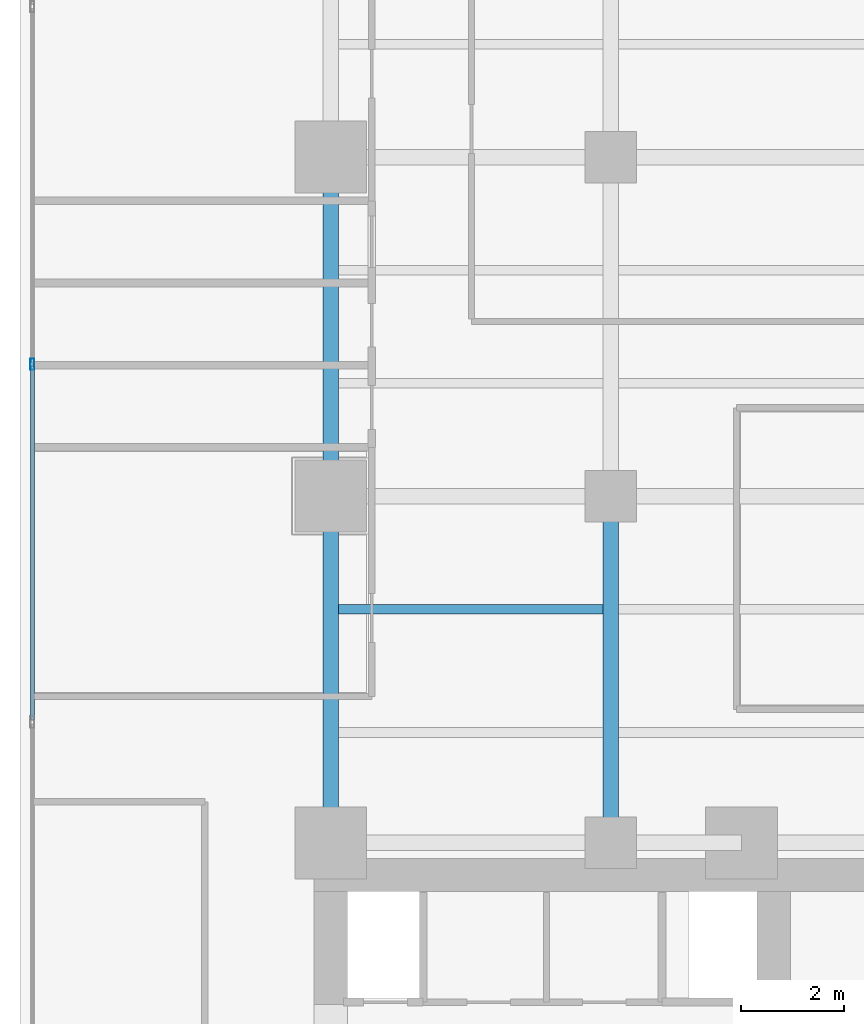
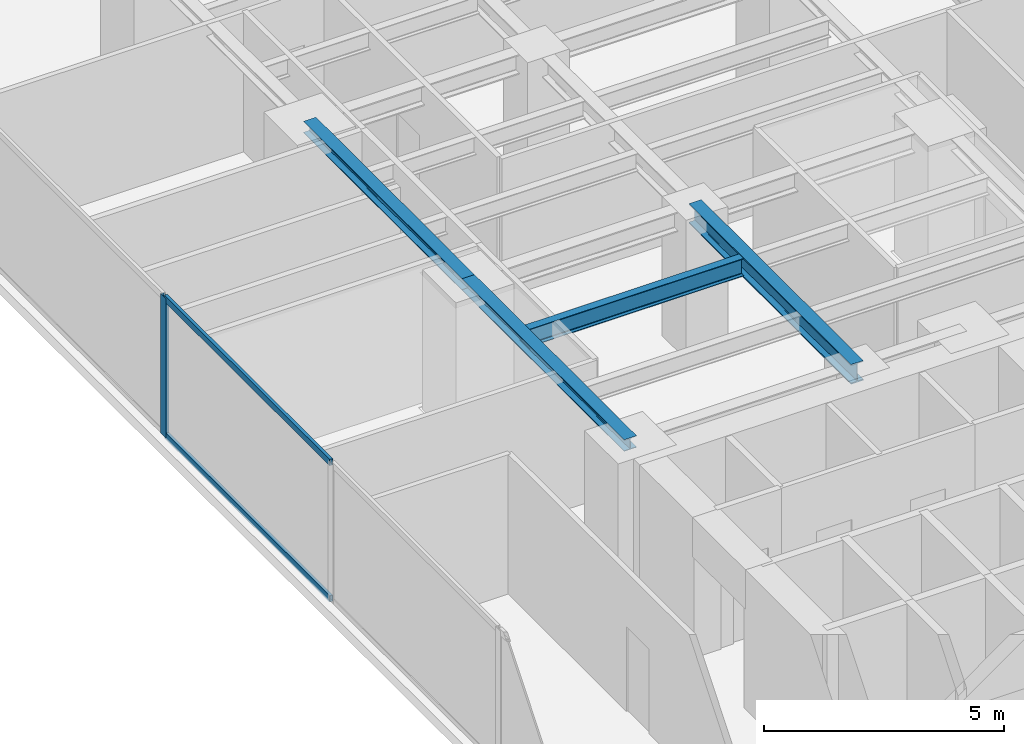
# One storey, part 7 of 28: 4 beams, 3 members, 1 element without a shape of its own.
"""IFC4 building model written with IfcOpenShell, lengths in metres."""

from ifc_helpers import new_model, si_unit, direction, frame, origin, origin_with_axes, origin_2d, place, context, subcontext, project, spatial, hollow_rectangle, i_section, extrude, source, transform, mapped, material, layer, layer_set, material_profile, profile_set, type_object, element, aggregate, save


model = new_model("IFC4")

# Units and contexts
model_context = context("Model", 3, precision=1e-05, world=origin(), true_north=direction((0.0, 1.0)))
body_context = subcontext(model_context, "Body", "Model", "MODEL_VIEW")
ifc_project = project(units=[si_unit("LENGTHUNIT", "METRE"), si_unit("AREAUNIT", "SQUARE_METRE"), si_unit("VOLUMEUNIT", "CUBIC_METRE"), si_unit("PLANEANGLEUNIT", "RADIAN"), si_unit("MASSUNIT", "GRAM", prefix="KILO")], contexts=[model_context])

# Site, building, storey
site_placement = place(None, origin())
site = spatial("IfcSite", under=ifc_project, at=site_placement, CompositionType="ELEMENT")
building_placement = place(site_placement, origin())
building = spatial("IfcBuilding", under=site, at=building_placement, Name="Kolvaren Waterfront Exchange", CompositionType="ELEMENT")
storey_placement = place(building_placement, frame((0.0, 0.0, 133.5)))
storey = spatial("IfcBuildingStorey", under=building, at=storey_placement, Name="L34", CompositionType="ELEMENT", Elevation=133.5)

# Beams
ifc_material_1 = material(Name="Steel S355", Category="steel")
ifc_material_profile_1 = material_profile(ifc_material_1, i_section(OverallWidth=0.300048828125, OverallDepth=0.300048828125, WebThickness=0.010986328125, FlangeThickness=0.01904296875, FilletRadius=0.027099609375, at=origin_2d()), Name="HEB300")
ifc_profile_set_1 = profile_set([ifc_material_profile_1], Name="Steel S355")
beam_type_1 = type_object("IfcBeamType", Name="STR-BM-HEB300", PredefinedType="SPANDREL", material=ifc_profile_set_1)
beam_1_placement = place(storey_placement, frame((7.449951171875, 24.449951171875, 3.389892578125), z_axis=(0.0, 1.0, 0.0), x_axis=(-1.0, 0.0, 0.0)))
element("IfcBeam", 1, at=beam_1_placement, inside=storey, type_object=beam_type_1, Name="L34 north-arm edge beam 1", PredefinedType="SPANDREL", context=body_context, shape_type="SweptSolid", body=[
    extrude(i_section(OverallWidth=0.300048828125, OverallDepth=0.300048828125, WebThickness=0.010986328125, FlangeThickness=0.01904296875, FilletRadius=0.027099609375, at=origin_2d()), origin(), (0.0, 0.0, 1.0), 6.75),
])
beam_2_placement = place(storey_placement, frame((7.449951171875, 31.199951171875, 3.389892578125), z_axis=(0.0, 1.0, 0.0), x_axis=(-1.0, 0.0, 0.0)))
element("IfcBeam", 2, at=beam_2_placement, inside=storey, type_object=beam_type_1, Name="L34 north-arm edge beam 2", PredefinedType="SPANDREL", context=body_context, shape_type="SweptSolid", body=[
    extrude(i_section(OverallWidth=0.300048828125, OverallDepth=0.300048828125, WebThickness=0.010986328125, FlangeThickness=0.01904296875, FilletRadius=0.027099609375, at=origin_2d()), origin(), (0.0, 0.0, 1.0), 6.60009765625),
])
ifc_material_profile_2 = material_profile(ifc_material_1, i_section(OverallWidth=0.300048828125, OverallDepth=0.5, WebThickness=0.014404296875, FlangeThickness=0.028076171875, FilletRadius=0.027099609375, at=origin_2d()), Name="HEB500")
ifc_profile_set_2 = profile_set([ifc_material_profile_2], Name="Steel S355")
beam_type_2 = type_object("IfcBeamType", Name="STR-BM-HEB500", PredefinedType="BEAM", material=ifc_profile_set_2)
beam_3_placement = place(storey_placement, frame((12.89990234375, 24.449951171875, 3.2900390625), z_axis=(0.0, 1.0, 0.0), x_axis=(-1.0, 0.0, 0.0)))
element("IfcBeam", 3, at=beam_3_placement, inside=storey, type_object=beam_type_2, Name="L34 north-arm edge beam 1", PredefinedType="BEAM", context=body_context, shape_type="SweptSolid", body=[
    extrude(i_section(OverallWidth=0.300048828125, OverallDepth=0.5, WebThickness=0.014404296875, FlangeThickness=0.028076171875, FilletRadius=0.027099609375, at=origin_2d()), origin(), (0.0, 0.0, 1.0), 6.75),
])
ifc_material_profile_3 = material_profile(ifc_material_1, i_section(OverallWidth=0.18994140625, OverallDepth=0.449951171875, WebThickness=0.009521484375, FlangeThickness=0.0146484375, FilletRadius=0.02099609375, at=origin_2d()), Name="IPE450")
ifc_profile_set_3 = profile_set([ifc_material_profile_3], Name="Steel S355")
beam_type_3 = type_object("IfcBeamType", Name="STR-BM-IPE450", PredefinedType="JOIST", material=ifc_profile_set_3)
beam_4_placement = place(storey_placement, frame((7.60205078125, 29.0, 3.31494140625), z_axis=(1.0, 0.0, 0.0), x_axis=(0.0, 1.0, 0.0)))
element("IfcBeam", 4, at=beam_4_placement, inside=storey, type_object=beam_type_3, Name="L34 north-arm composite joist 2A", PredefinedType="JOIST", context=body_context, shape_type="SweptSolid", body=[
    extrude(i_section(OverallWidth=0.18994140625, OverallDepth=0.449951171875, WebThickness=0.009521484375, FlangeThickness=0.0146484375, FilletRadius=0.02099609375, at=origin_2d()), origin(), (0.0, 0.0, 1.0), 5.14599609375),
])

# Curtain wall, members
ifc_material_2 = material(Name="Anodised aluminium 6063-T6", Category="aluminium")
ifc_layer = layer(ifc_material_2, 0.219970703125, Name="Anodised aluminium 6063-T6")
ifc_layer_set = layer_set([ifc_layer], Name="Anodised aluminium 6063-T6")
curtain_wall_type = type_object("IfcCurtainWallType", Name="ARC-CW-SYS2", PredefinedType="USERDEFINED", material=ifc_layer_set)
curtain_wall_placement = place(storey_placement, origin())
curtain_wall = element("IfcCurtainWall", 5, at=curtain_wall_placement, inside=storey, type_object=curtain_wall_type, Name="L34 stick curtain wall CW2 (CW-L34-W)", ObjectType="STICK CURTAIN WALL", PredefinedType="USERDEFINED")
ifc_material_profile_4 = material_profile(ifc_material_2, hollow_rectangle(XDim=0.080078125, YDim=0.219970703125, WallThickness=0.0048828125, at=origin_2d()), Name="ALU-MUL-220x80x5")
ifc_profile_set_4 = profile_set([ifc_material_profile_4], Name="Anodised aluminium 6063-T6")
member_type_1 = type_object("IfcMemberType", Name="ARC-CWM-220", PredefinedType="MULLION", material=ifc_profile_set_4)
shared_shape_1 = source(origin_with_axes(), body_context, "Body", "SweptSolid", [
    extrude(hollow_rectangle(XDim=0.080078125, YDim=0.219970703125, WallThickness=0.0048828125, at=origin_2d()), origin(), (0.0, 0.0, 1.0), 3.5400390625),
])
member_1_placement = place(storey_placement, frame((1.639892578125, 33.7666015625, 0.0), z_axis=(0.0, 0.0, 1.0), x_axis=(-1.0, 0.0, 0.0)))
member_1 = element("IfcMember", 6, at=member_1_placement, type_object=member_type_1, Name="CW2 mullion 5", PredefinedType="MULLION", context=body_context, shape_type="MappedRepresentation", body=[
    mapped(shared_shape_1, transform((0.0, 0.0, 0.0), x_axis=(1.0, 0.0, 0.0), y_axis=(0.0, 1.0, 0.0), z_axis=(0.0, 0.0, 1.0), scale=1.0)),
])
ifc_material_profile_5 = material_profile(ifc_material_2, hollow_rectangle(XDim=0.074951171875, YDim=0.159912109375, WallThickness=0.00439453125, at=origin_2d()), Name="ALU-TRN-160x75x4.5")
ifc_profile_set_5 = profile_set([ifc_material_profile_5], Name="Anodised aluminium 6063-T6")
member_type_2 = type_object("IfcMemberType", Name="ARC-CWT-160", PredefinedType="USERDEFINED", material=ifc_profile_set_5)
shared_shape_2 = source(origin_with_axes(), body_context, "Body", "SweptSolid", [
    extrude(hollow_rectangle(XDim=0.074951171875, YDim=0.159912109375, WallThickness=0.00439453125, at=origin_2d()), origin(), (0.0, 0.0, 1.0), 6.886474609375),
])
member_2_placement = place(storey_placement, frame((1.639892578125, 26.840087890625, 0.03759765625), z_axis=(0.0, 1.0, 0.0), x_axis=(-1.0, 0.0, 0.0)))
member_2 = element("IfcMember", 7, at=member_2_placement, type_object=member_type_2, Name="CW2 transom 4.1", ObjectType="TRANSOM", PredefinedType="USERDEFINED", context=body_context, shape_type="MappedRepresentation", body=[
    mapped(shared_shape_2, transform((0.0, 0.0, 0.0), x_axis=(1.0, 0.0, 0.0), y_axis=(0.0, 1.0, 0.0), z_axis=(0.0, 0.0, 1.0), scale=1.0)),
])
member_3_placement = place(storey_placement, frame((1.639892578125, 26.840087890625, 3.50244140625), z_axis=(0.0, 1.0, 0.0), x_axis=(-1.0, 0.0, 0.0)))
member_3 = element("IfcMember", 8, at=member_3_placement, type_object=member_type_2, Name="CW2 transom 4.2", ObjectType="TRANSOM", PredefinedType="USERDEFINED", context=body_context, shape_type="MappedRepresentation", body=[
    mapped(shared_shape_2, transform((0.0, 0.0, 0.0), x_axis=(1.0, 0.0, 0.0), y_axis=(0.0, 1.0, 0.0), z_axis=(0.0, 0.0, 1.0), scale=1.0)),
])
aggregate(curtain_wall, [member_1, member_2, member_3])

save(model, "model.ifc")
